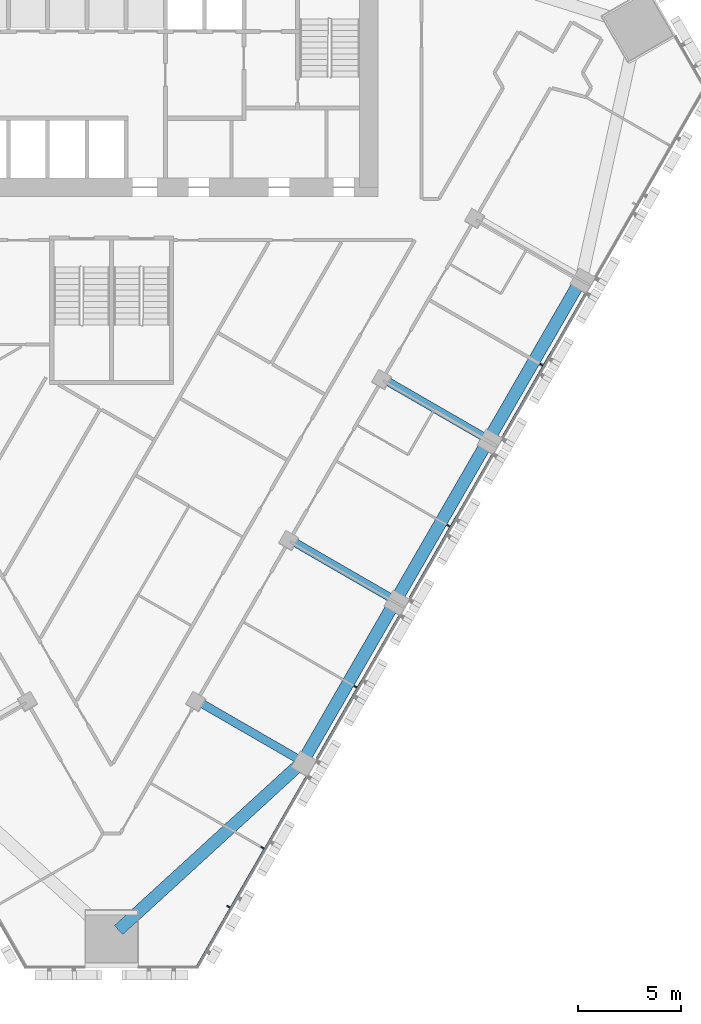
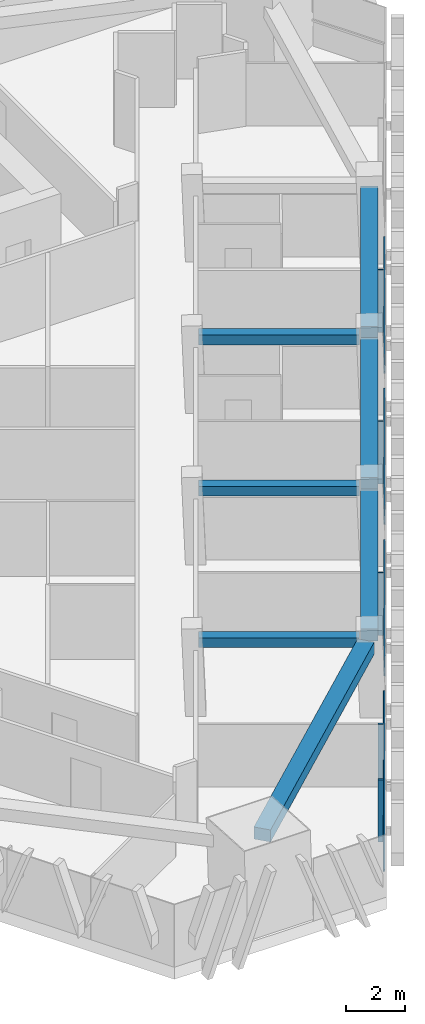
# One storey, part 4 of 16: 9 members, 7 beams, 1 element without a shape of its own.
"""IFC4 building model written with IfcOpenShell, lengths in metres."""

from ifc_helpers import new_model, si_unit, direction, frame, origin, origin_2d, place, context, subcontext, project, spatial, rectangle, extrude, material, layer, layer_set, material_profile, profile_set, type_object, element, aggregate, save


model = new_model("IFC4")

# Units and contexts
model_context = context("Model", 3, precision=1e-05, world=origin(), true_north=direction((0.0, 1.0)))
body_context = subcontext(model_context, "Body", "Model", "MODEL_VIEW")
ifc_project = project(units=[si_unit("LENGTHUNIT", "METRE"), si_unit("AREAUNIT", "SQUARE_METRE"), si_unit("VOLUMEUNIT", "CUBIC_METRE"), si_unit("PLANEANGLEUNIT", "RADIAN"), si_unit("MASSUNIT", "GRAM", prefix="KILO")], contexts=[model_context])

# Site, building, storey
site_placement = place(None, origin())
site = spatial("IfcSite", under=ifc_project, at=site_placement, CompositionType="ELEMENT")
building_placement = place(site_placement, origin())
building = spatial("IfcBuilding", under=site, at=building_placement, Name="Altiplano Prism Tower", CompositionType="ELEMENT")
storey_placement = place(building_placement, frame((0.0, 0.0, 104.39990234375)))
storey = spatial("IfcBuildingStorey", under=building, at=storey_placement, Name="L26", CompositionType="ELEMENT", Elevation=104.39990234375)

# Curtain wall, members
ifc_material_1 = material(Name="Aluminium and glass", Category="aluminium")
ifc_layer = layer(ifc_material_1, 0.280029296875)
ifc_layer_set = layer_set([ifc_layer], Name="Aluminium and glass")
curtain_wall_type = type_object("IfcCurtainWallType", Name="CW1 typical co-living unitised curtain wall", PredefinedType="NOTDEFINED", material=ifc_layer_set)
curtain_wall_placement = place(storey_placement, origin())
curtain_wall = element("IfcCurtainWall", 1, at=curtain_wall_placement, inside=storey, type_object=curtain_wall_type, Name="CW1 curtain wall south-east face L26", PredefinedType="NOTDEFINED")
ifc_material_2 = material(Name="Aluminium", Category="aluminium")
ifc_material_profile_1 = material_profile(ifc_material_2, rectangle(XDim=0.179931640625, YDim=0.06494140625, at=origin_2d()), Name="CW1 mullion 65 x 180")
ifc_profile_set_1 = profile_set([ifc_material_profile_1], Name="Aluminium")
member_type_1 = type_object("IfcMemberType", Name="CW1 mullion 65 x 180", PredefinedType="MULLION", material=ifc_profile_set_1)
member_1_placement = place(storey_placement, frame((90.655029296875, 58.13232421875, 0.0), z_axis=(0.0, 0.0, 1.0), x_axis=(-0.866025401838, 0.500000003371, 0.0)))
member_1 = element("IfcMember", 2, at=member_1_placement, type_object=member_type_1, Name="CW1 mullion", PredefinedType="MULLION", context=body_context, shape_type="SweptSolid", body=[
    extrude(rectangle(XDim=0.179931640625, YDim=0.06494140625, at=origin_2d()), origin(), (0.0, 0.0, 1.0), 2.60009765625),
])
member_2_placement = place(storey_placement, frame((92.30224609375, 60.9853515625, 0.0), z_axis=(0.0, 0.0, 1.0), x_axis=(-0.866025401838, 0.500000003371, 0.0)))
member_2 = element("IfcMember", 3, at=member_2_placement, type_object=member_type_1, Name="CW1 mullion", PredefinedType="MULLION", context=body_context, shape_type="SweptSolid", body=[
    extrude(rectangle(XDim=0.179931640625, YDim=0.06494140625, at=origin_2d()), origin(), (0.0, 0.0, 1.0), 2.60009765625),
])
member_3_placement = place(storey_placement, frame((96.80224609375, 68.779541015625, 0.0), z_axis=(0.0, 0.0, 1.0), x_axis=(-0.866025401838, 0.500000003371, 0.0)))
member_3 = element("IfcMember", 4, at=member_3_placement, type_object=member_type_1, Name="CW1 mullion", PredefinedType="MULLION", context=body_context, shape_type="SweptSolid", body=[
    extrude(rectangle(XDim=0.179931640625, YDim=0.06494140625, at=origin_2d()), origin(), (0.0, 0.0, 1.0), 2.60009765625),
])
member_4_placement = place(storey_placement, frame((101.30224609375, 76.57373046875, 0.0), z_axis=(0.0, 0.0, 1.0), x_axis=(-0.866025401838, 0.500000003371, 0.0)))
member_4 = element("IfcMember", 5, at=member_4_placement, type_object=member_type_1, Name="CW1 mullion", PredefinedType="MULLION", context=body_context, shape_type="SweptSolid", body=[
    extrude(rectangle(XDim=0.179931640625, YDim=0.06494140625, at=origin_2d()), origin(), (0.0, 0.0, 1.0), 2.60009765625),
])
member_5_placement = place(storey_placement, frame((105.80224609375, 84.367919921875, 0.0), z_axis=(0.0, 0.0, 1.0), x_axis=(-0.866025401838, 0.500000003371, 0.0)))
member_5 = element("IfcMember", 6, at=member_5_placement, type_object=member_type_1, Name="CW1 mullion", PredefinedType="MULLION", context=body_context, shape_type="SweptSolid", body=[
    extrude(rectangle(XDim=0.179931640625, YDim=0.06494140625, at=origin_2d()), origin(), (0.0, 0.0, 1.0), 2.60009765625),
])
ifc_material_profile_2 = material_profile(ifc_material_2, rectangle(XDim=0.06005859375, YDim=0.080078125, at=origin_2d()), Name="CW1 transom 80 x 60")
ifc_profile_set_2 = profile_set([ifc_material_profile_2], Name="Aluminium")
member_type_2 = type_object("IfcMemberType", Name="CW1 transom 80 x 60", PredefinedType="USERDEFINED", material=ifc_profile_set_2)
member_6_placement = place(storey_placement, frame((89.112060546875, 55.219482421875, 1.10009765625), z_axis=(0.499994622606, 0.866028508402, 0.0), x_axis=(-0.866028508402, 0.499994622606, 0.0)))
member_6 = element("IfcMember", 7, at=member_6_placement, type_object=member_type_2, Name="CW1 transom", ObjectType="TRANSOM", PredefinedType="USERDEFINED", context=body_context, shape_type="SweptSolid", body=[
    extrude(rectangle(XDim=0.06005859375, YDim=0.080078125, at=origin_2d()), origin(), (0.0, 0.0, 1.0), 10.6376953125),
])
member_7_placement = place(storey_placement, frame((94.9208984375, 65.281005859375, 1.10009765625), z_axis=(0.500012318566, 0.86601829154, 0.0), x_axis=(-0.86601829154, 0.500012318566, 0.0)))
member_7 = element("IfcMember", 8, at=member_7_placement, type_object=member_type_2, Name="CW1 transom", ObjectType="TRANSOM", PredefinedType="USERDEFINED", context=body_context, shape_type="SweptSolid", body=[
    extrude(rectangle(XDim=0.06005859375, YDim=0.080078125, at=origin_2d()), origin(), (0.0, 0.0, 1.0), 8.019775390625),
])
member_8_placement = place(storey_placement, frame((99.4208984375, 73.0751953125, 1.10009765625), z_axis=(0.500012318566, 0.86601829154, 0.0), x_axis=(-0.86601829154, 0.500012318566, 0.0)))
member_8 = element("IfcMember", 9, at=member_8_placement, type_object=member_type_2, Name="CW1 transom", ObjectType="TRANSOM", PredefinedType="USERDEFINED", context=body_context, shape_type="SweptSolid", body=[
    extrude(rectangle(XDim=0.06005859375, YDim=0.080078125, at=origin_2d()), origin(), (0.0, 0.0, 1.0), 8.019775390625),
])
member_9_placement = place(storey_placement, frame((103.9208984375, 80.869384765625, 1.10009765625), z_axis=(0.500012318566, 0.86601829154, 0.0), x_axis=(-0.86601829154, 0.500012318566, 0.0)))
member_9 = element("IfcMember", 10, at=member_9_placement, type_object=member_type_2, Name="CW1 transom", ObjectType="TRANSOM", PredefinedType="USERDEFINED", context=body_context, shape_type="SweptSolid", body=[
    extrude(rectangle(XDim=0.06005859375, YDim=0.080078125, at=origin_2d()), origin(), (0.0, 0.0, 1.0), 8.019775390625),
])
aggregate(curtain_wall, [member_1, member_2, member_6, member_3, member_7, member_4, member_8, member_5, member_9])

# Beams
ifc_material_3 = material(Name="Concrete C60/75", Category="concrete")
ifc_material_profile_3 = material_profile(ifc_material_3, rectangle(XDim=0.60009765625, YDim=0.5, at=origin_2d()), Name="Edge beam 600x500")
ifc_profile_set_3 = profile_set([ifc_material_profile_3], Name="Concrete C60/75")
beam_type_1 = type_object("IfcBeamType", Name="Edge beam 600x500", PredefinedType="SPANDREL", material=ifc_profile_set_3)
beam_placement = place(storey_placement, frame((85.33203125, 56.998779296875, 2.85009765625), z_axis=(0.737979643208, 0.674822973979, 0.0), x_axis=(-0.674822973979, 0.737979643208, 0.0)))
element("IfcBeam", 11, at=beam_placement, inside=storey, type_object=beam_type_1, Name="Edge beam M1-P21 L27", PredefinedType="SPANDREL", context=body_context, shape_type="SweptSolid", body=[
    extrude(rectangle(XDim=0.60009765625, YDim=0.5, at=origin_2d()), origin(), (0.0, 0.0, 1.0), 11.728271484375),
])
for number, where, z_axis, x_axis, name in (
    (12, (94.412109375, 65.436767578125, 2.85009765625), (0.499992746786, 0.866029591389, 0.0), (-0.866029591389, 0.499992746786, 0.0), "Edge beam P21-P22 L27"),
    (13, (98.912109375, 73.23095703125, 2.85009765625), (0.499992746786, 0.866029591389, 0.0), (-0.866029591389, 0.499992746786, 0.0), "Edge beam P22-P23 L27"),
    (14, (103.412109375, 81.025146484375, 2.85009765625), (0.499992746786, 0.866029591389, 0.0), (-0.866029591389, 0.499992746786, 0.0), "Edge beam P23-P24 L27"),
):
    element("IfcBeam", number, at=place(storey_placement, frame(where, z_axis=z_axis, x_axis=x_axis)), inside=storey, type_object=beam_type_1, Name=name, PredefinedType="SPANDREL", context=body_context, shape_type="SweptSolid", body=[
        extrude(rectangle(XDim=0.60009765625, YDim=0.5, at=origin_2d()), origin(), (0.0, 0.0, 1.0), 8.33984375),
    ])
ifc_material_profile_4 = material_profile(ifc_material_3, rectangle(XDim=0.39990234375, YDim=0.39990234375, at=origin_2d()), Name="Tie beam 400x400")
ifc_profile_set_4 = profile_set([ifc_material_profile_4], Name="Concrete C60/75")
beam_type_2 = type_object("IfcBeamType", Name="Tie beam 400x400", PredefinedType="BEAM", material=ifc_profile_set_4)
for number, where, z_axis, x_axis, name in (
    (15, (89.206787109375, 68.06103515625, 2.900146484375), (0.866012292785, -0.50002270823, 0.0), (0.50002270823, 0.866012292785, 0.0), "Tie beam I21 L27"),
    (16, (93.706787109375, 75.855224609375, 2.900146484375), (0.866012292785, -0.50002270823, 0.0), (0.50002270823, 0.866012292785, 0.0), "Tie beam I22 L27"),
    (17, (98.206787109375, 83.6494140625, 2.900146484375), (0.866012292785, -0.50002270823, 0.0), (0.50002270823, 0.866012292785, 0.0), "Tie beam I23 L27"),
):
    element("IfcBeam", number, at=place(storey_placement, frame(where, z_axis=z_axis, x_axis=x_axis)), inside=storey, type_object=beam_type_2, Name=name, PredefinedType="BEAM", context=body_context, shape_type="SweptSolid", body=[
        extrude(rectangle(XDim=0.39990234375, YDim=0.39990234375, at=origin_2d()), origin(), (0.0, 0.0, 1.0), 5.489990234375),
    ])

save(model, "model.ifc")
